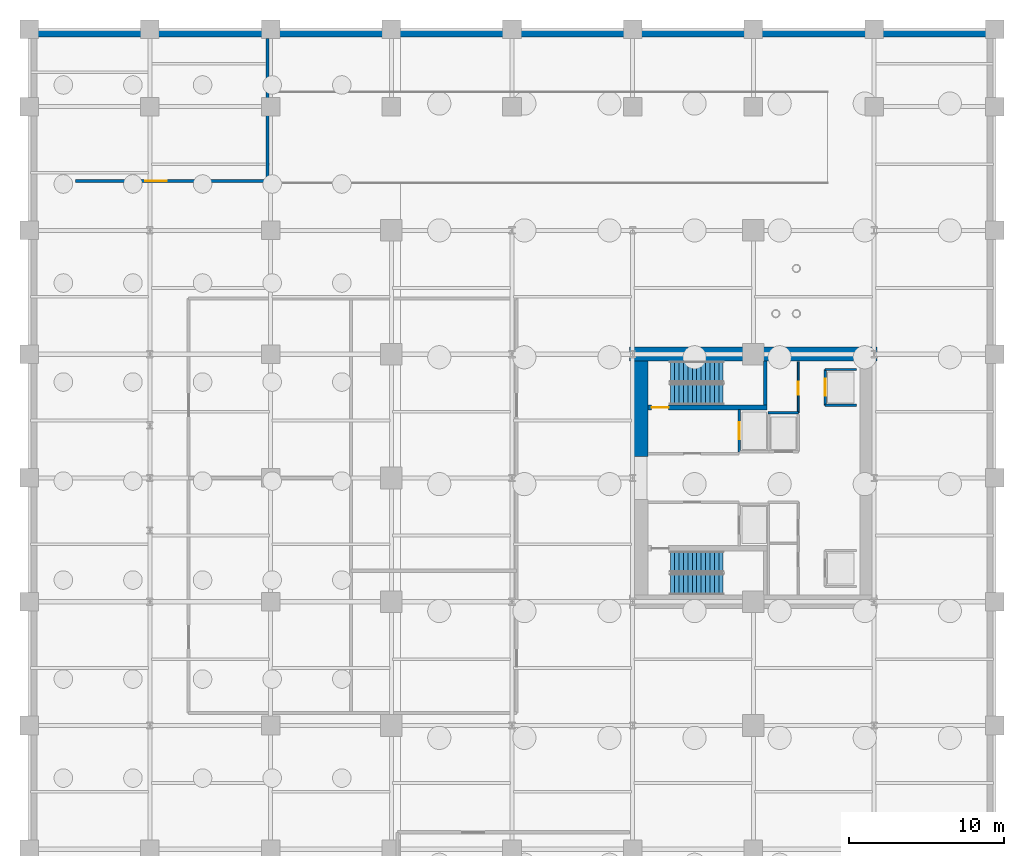
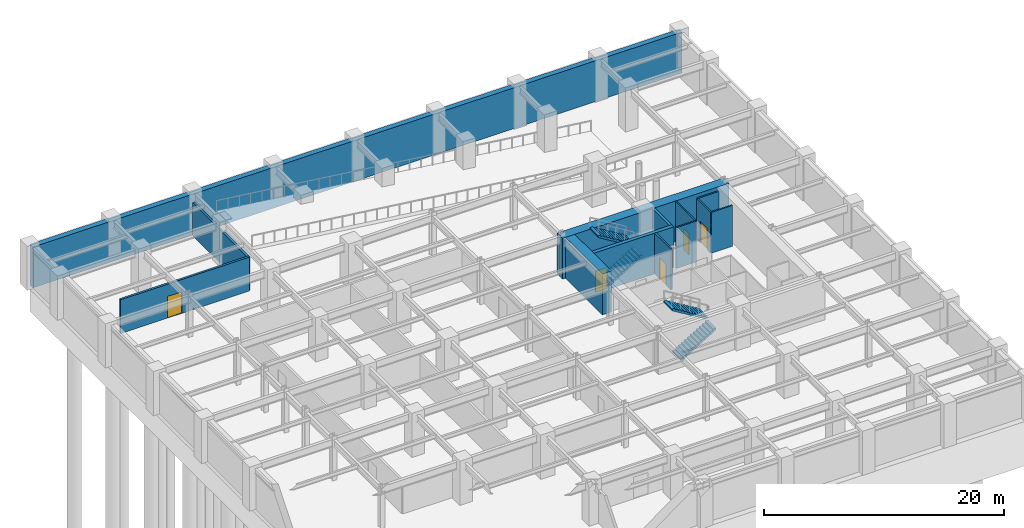
# One storey, part 7 of 10: 13 walls, 5 doors, 4 stair flights, 5 openings, 2 elements without a shape of their own.
"""IFC4 building model written with IfcOpenShell, lengths in metres."""

from ifc_helpers import new_model, si_unit, direction, frame, frame_2d, origin, place, context, subcontext, project, spatial, polyline, rectangle, outline, extrude, material, layer, layer_set, type_object, element, fill, aggregate, save


model = new_model("IFC4")

# Units and contexts
model_context = context("Model", 3, precision=1e-05, world=origin(), true_north=direction((0.0, 1.0)))
body_context = subcontext(model_context, "Body", "Model", "MODEL_VIEW")
ifc_project = project(units=[si_unit("LENGTHUNIT", "METRE"), si_unit("AREAUNIT", "SQUARE_METRE"), si_unit("VOLUMEUNIT", "CUBIC_METRE"), si_unit("PLANEANGLEUNIT", "RADIAN"), si_unit("MASSUNIT", "GRAM", prefix="KILO")], contexts=[model_context])

# Site, building, storey
site_placement = place(None, origin())
site = spatial("IfcSite", under=ifc_project, at=site_placement, CompositionType="ELEMENT")
building_placement = place(site_placement, origin())
building = spatial("IfcBuilding", under=site, at=building_placement, Name="Veymaron Broadcast Tower", CompositionType="ELEMENT")
storey_placement = place(building_placement, frame((0.0, 0.0, -9.0)))
storey = spatial("IfcBuildingStorey", under=building, at=storey_placement, Name="B2", CompositionType="ELEMENT", Elevation=-9.0)

# Wall, opening, door
ifc_material_1 = material(Name="Concrete C40/50", Category="concrete")
ifc_layer_1 = layer(ifc_material_1, 0.199951171875)
ifc_layer_set_1 = layer_set([ifc_layer_1], Name="Concrete C40/50")
wall_type_1 = type_object("IfcWallType", Name="WALL-BLK-200", PredefinedType="SOLIDWALL", material=ifc_layer_set_1)
wall_1_placement = place(storey_placement, frame((3.0, 43.199951171875, 0.0), z_axis=(0.0, 0.0, 1.0), x_axis=(1.0, 0.0, 0.0)))
wall_1 = element("IfcWall", 1, at=wall_1_placement, inside=storey, type_object=wall_type_1, Name="B2 partition IW-B2-VN-S", PredefinedType="SOLIDWALL", context=body_context, shape_type="SweptSolid", body=[
    extrude(rectangle(XDim=12.39990234375, YDim=0.199951171875, at=frame_2d((6.199951171875, 0.0))), origin(), (0.0, 0.0, 1.0), 3.445068359375),
])
opening_1_placement = place(wall_1_placement, frame((4.5, 0.0, 0.0)))
opening_1 = element("IfcOpeningElement", 2, at=opening_1_placement, cuts=wall_1, Name="Opening ID-PL1", PredefinedType="OPENING", context=body_context, shape_type="SweptSolid", body=[
    extrude(rectangle(XDim=1.39990234375, YDim=2.199951171875, at=frame_2d((0.699951171875, 1.10009765625))), frame((0.0, 0.10986328125, 0.0), z_axis=(0.0, -1.0, 0.0), x_axis=(1.0, 0.0, 0.0)), (0.0, 0.0, 1.0), 0.219970703125),
])
ifc_material_2 = material(Name="Heavy-duty acoustic galvanized steel", Category="steel")
door_type_1 = type_object("IfcDoorType", Name="DOOR-PLANT-1400", OperationType="DOUBLE_DOOR_SINGLE_SWING", PredefinedType="DOOR", material=ifc_material_2)
door_1_placement = place(opening_1_placement, origin())
door_1 = element("IfcDoor", 3, at=door_1_placement, inside=storey, type_object=door_type_1, Name="B2 door DR-B2-VN", OperationType="SINGLE_SWING_LEFT", OverallHeight=2.199951171875, OverallWidth=1.39990234375, PredefinedType="DOOR", context=body_context, shape_type="SweptSolid", body=[
    extrude(rectangle(XDim=1.39990234375, YDim=2.199951171875, at=frame_2d((0.699951171875, 1.10009765625))), frame((0.0, 0.02490234375, 0.0), z_axis=(0.0, -1.0, 0.0), x_axis=(1.0, 0.0, 0.0)), (0.0, 0.0, 1.0), 0.050048828125),
])
fill(opening_1, door_1)

# Wall
wall_2_placement = place(storey_placement, frame((15.39990234375, 43.199951171875, 0.0), z_axis=(0.0, 0.0, 1.0), x_axis=(0.0, 1.0, 0.0)))
element("IfcWall", 4, at=wall_2_placement, inside=storey, type_object=wall_type_1, Name="B2 partition IW-B2-VN-E", PredefinedType="SOLIDWALL", context=body_context, shape_type="SweptSolid", body=[
    extrude(rectangle(XDim=9.199951171875, YDim=0.199951171875, at=frame_2d((4.60009765625, 0.0))), origin(), (0.0, 0.0, 1.0), 3.367919921875),
])

# Wall, opening, door
ifc_material_3 = material(Name="Gypsum fireboard and steel stud framing", Category="steel")
ifc_layer_2 = layer(ifc_material_3, 0.14990234375)
ifc_layer_set_2 = layer_set([ifc_layer_2], Name="Gypsum fireboard and steel stud framing")
wall_type_2 = type_object("IfcWallType", Name="WALL-FIRE-150", PredefinedType="PARTITIONING", material=ifc_layer_set_2)
wall_3_placement = place(storey_placement, frame((45.89501953125, 25.68994140625, 0.0), z_axis=(0.0, 0.0, 1.0), x_axis=(0.0, 1.0, 0.0)))
wall_3 = element("IfcWall", 5, at=wall_3_placement, inside=storey, type_object=wall_type_2, Name="B2 partition IW-B2-SHW-FFL-1", PredefinedType="PARTITIONING", context=body_context, shape_type="SweptSolid", body=[
    extrude(rectangle(XDim=2.719970703125, YDim=0.14990234375, at=frame_2d((1.35986328125, 0.0))), origin(), (0.0, 0.0, 1.0), 4.14990234375),
])
opening_2_placement = place(wall_3_placement, frame((0.81005859375, 0.0, 0.0)))
opening_2 = element("IfcOpeningElement", 6, at=opening_2_placement, cuts=wall_3, Name="Opening LD", PredefinedType="OPENING", context=body_context, shape_type="SweptSolid", body=[
    extrude(rectangle(XDim=1.10009765625, YDim=2.14990234375, at=frame_2d((0.550048828125, 1.074951171875))), frame((0.0, 0.0849609375, 0.0), z_axis=(0.0, -1.0, 0.0), x_axis=(1.0, 0.0, 0.0)), (0.0, 0.0, 1.0), 0.169921875),
])
ifc_material_4 = material(Name="Brushed stainless steel AISI 304", Category="steel")
door_type_2 = type_object("IfcDoorType", Name="DOOR-LIFT-1100", OperationType="DOUBLE_DOOR_SLIDING", PredefinedType="DOOR", material=ifc_material_4)
door_2_placement = place(opening_2_placement, frame((1.10009765625, 0.0, 0.0), z_axis=(0.0, 0.0, 1.0), x_axis=(-1.0, 0.0, 0.0)))
door_2 = element("IfcDoor", 7, at=door_2_placement, inside=storey, type_object=door_type_2, Name="B2 door LD-B2-FFL-1", OperationType="DOUBLE_DOOR_SLIDING", OverallHeight=2.14990234375, OverallWidth=1.10009765625, PredefinedType="DOOR", context=body_context, shape_type="SweptSolid", body=[
    extrude(rectangle(XDim=1.10009765625, YDim=2.14990234375, at=frame_2d((0.550048828125, 1.074951171875))), frame((0.0, 0.02490234375, 0.0), z_axis=(0.0, -1.0, 0.0), x_axis=(1.0, 0.0, 0.0)), (0.0, 0.0, 1.0), 0.050048828125),
])
fill(opening_2, door_2)

wall_4_placement = place(storey_placement, frame((51.445068359375, 28.68994140625, 0.0), z_axis=(0.0, 0.0, 1.0), x_axis=(0.0, 1.0, 0.0)))
wall_4 = element("IfcWall", 8, at=wall_4_placement, inside=storey, type_object=wall_type_2, Name="B2 partition IW-B2-SHW-PL1", PredefinedType="PARTITIONING", context=body_context, shape_type="SweptSolid", body=[
    extrude(rectangle(XDim=2.320068359375, YDim=0.14990234375, at=frame_2d((1.16015625, 0.0))), origin(), (0.0, 0.0, 1.0), 4.14990234375),
])
opening_3_placement = place(wall_4_placement, frame((0.610107421875, 0.0, 0.0)))
opening_3 = element("IfcOpeningElement", 9, at=opening_3_placement, cuts=wall_4, Name="Opening LD", PredefinedType="OPENING", context=body_context, shape_type="SweptSolid", body=[
    extrude(rectangle(XDim=1.10009765625, YDim=2.14990234375, at=frame_2d((0.550048828125, 1.074951171875))), frame((0.0, 0.0849609375, 0.0), z_axis=(0.0, -1.0, 0.0), x_axis=(1.0, 0.0, 0.0)), (0.0, 0.0, 1.0), 0.169921875),
])
door_3_placement = place(opening_3_placement, frame((1.10009765625, 0.0, 0.0), z_axis=(0.0, 0.0, 1.0), x_axis=(-1.0, 0.0, 0.0)))
door_3 = element("IfcDoor", 10, at=door_3_placement, inside=storey, type_object=door_type_2, Name="B2 door LD-B2-PL1", OperationType="DOUBLE_DOOR_SLIDING", OverallHeight=2.14990234375, OverallWidth=1.10009765625, PredefinedType="DOOR", context=body_context, shape_type="SweptSolid", body=[
    extrude(rectangle(XDim=1.10009765625, YDim=2.14990234375, at=frame_2d((0.550048828125, 1.074951171875))), frame((0.0, 0.02490234375, 0.0), z_axis=(0.0, -1.0, 0.0), x_axis=(1.0, 0.0, 0.0)), (0.0, 0.0, 1.0), 0.050048828125),
])
fill(opening_3, door_3)

# Walls
for number, where, z_axis, x_axis, name in (
    (11, (51.445068359375, 28.68994140625, 0.0), (0.0, 0.0, 1.0), (1.0, 0.0, 0.0), "B2 partition IW-B2-SHS-PL1"),
    (12, (51.445068359375, 31.010009765625, 0.0), (0.0, 0.0, 1.0), (1.0, 0.0, 0.0), "B2 partition IW-B2-SHN-PL1"),
):
    element("IfcWall", number, at=place(storey_placement, frame(where, z_axis=z_axis, x_axis=x_axis)), inside=storey, type_object=wall_type_2, Name=name, PredefinedType="PARTITIONING", context=body_context, shape_type="SweptSolid", body=[
        extrude(rectangle(XDim=2.014892578125, YDim=0.14990234375, at=frame_2d((1.00732421875, 0.0))), origin(), (0.0, 0.0, 1.0), 4.14990234375),
    ])
wall_5_placement = place(storey_placement, frame((47.760009765625, 28.219970703125, 0.0), z_axis=(0.0, 0.0, 1.0), x_axis=(1.0, 0.0, 0.0)))
element("IfcWall", 13, at=wall_5_placement, inside=storey, type_object=wall_type_2, Name="B2 partition IW-B2-NM-S", PredefinedType="PARTITIONING", context=body_context, shape_type="SweptSolid", body=[
    extrude(rectangle(XDim=1.9599609375, YDim=0.14990234375, at=frame_2d((0.97998046875, 0.0))), origin(), (0.0, 0.0, 1.0), 4.14990234375),
])

# Wall, opening, door
ifc_material_5 = material(Name="Acoustic gypsum board and galvanized stud", Category="gypsum")
ifc_layer_3 = layer(ifc_material_5, 0.1201171875)
ifc_layer_set_3 = layer_set([ifc_layer_3], Name="Acoustic gypsum board and galvanized stud")
wall_type_3 = type_object("IfcWallType", Name="WALL-PART-120", PredefinedType="PARTITIONING", material=ifc_layer_set_3)
wall_6_placement = place(storey_placement, frame((49.699951171875, 28.219970703125, 0.0), z_axis=(0.0, 0.0, 1.0), x_axis=(0.0, 1.0, 0.0)))
wall_6 = element("IfcWall", 14, at=wall_6_placement, inside=storey, type_object=wall_type_3, Name="B2 partition IW-B2-NM-E", PredefinedType="PARTITIONING", context=body_context, shape_type="SweptSolid", body=[
    extrude(rectangle(XDim=3.300048828125, YDim=0.1201171875, at=frame_2d((1.64990234375, 0.0))), origin(), (0.0, 0.0, 1.0), 4.14990234375),
])
opening_4_placement = place(wall_6_placement, frame((1.14990234375, 0.0, 0.0)))
opening_4 = element("IfcOpeningElement", 15, at=opening_4_placement, cuts=wall_6, Name="Opening ID-WC1", PredefinedType="OPENING", context=body_context, shape_type="SweptSolid", body=[
    extrude(rectangle(XDim=0.85009765625, YDim=2.14990234375, at=frame_2d((0.425048828125, 1.074951171875))), frame((0.0, 0.070068359375, 0.0), z_axis=(0.0, -1.0, 0.0), x_axis=(1.0, 0.0, 0.0)), (0.0, 0.0, 1.0), 0.14013671875),
])
ifc_material_6 = material(Name="Moisture-resistant high-pressure laminate timber", Category="wood")
door_type_3 = type_object("IfcDoorType", Name="DOOR-INT-850", OperationType="NOTDEFINED", PredefinedType="DOOR", material=ifc_material_6)
door_4_placement = place(opening_4_placement, frame((0.85009765625, 0.0, 0.0), z_axis=(0.0, 0.0, 1.0), x_axis=(-1.0, 0.0, 0.0)))
door_4 = element("IfcDoor", 16, at=door_4_placement, inside=storey, type_object=door_type_3, Name="B2 door DR-B2-NMR", OperationType="SINGLE_SWING_LEFT", OverallHeight=2.14990234375, OverallWidth=0.85009765625, PredefinedType="DOOR", context=body_context, shape_type="SweptSolid", body=[
    extrude(rectangle(XDim=0.85009765625, YDim=2.14990234375, at=frame_2d((0.425048828125, 1.074951171875))), frame((0.0, 0.02490234375, 0.0), z_axis=(0.0, -1.0, 0.0), x_axis=(1.0, 0.0, 0.0)), (0.0, 0.0, 1.0), 0.050048828125),
])
fill(opening_4, door_4)

# Walls
ifc_material_7 = material(Name="Concrete C50/60", Category="concrete")
ifc_layer_4 = layer(ifc_material_7, 0.5)
ifc_layer_set_4 = layer_set([ifc_layer_4], Name="Concrete C50/60")
wall_type_4 = type_object("IfcWallType", Name="WALL-RET-500", PredefinedType="USERDEFINED", material=ifc_layer_set_4)
wall_7_placement = place(storey_placement, frame((62.39990234375, 52.75, 0.0), z_axis=(0.0, 0.0, 1.0), x_axis=(-1.0, 0.0, 0.0)))
element("IfcWall", 17, at=wall_7_placement, inside=storey, type_object=wall_type_4, Name="B2 retaining wall N", ObjectType="RETAININGWALL", PredefinedType="USERDEFINED", context=body_context, shape_type="SweptSolid", body=[
    extrude(rectangle(XDim=62.39990234375, YDim=0.5, at=frame_2d((31.199951171875, 0.0))), origin(), (0.0, 0.0, 1.0), 4.14990234375),
])
ifc_layer_5 = layer(ifc_material_7, 0.25)
ifc_layer_set_5 = layer_set([ifc_layer_5], Name="Concrete C50/60")
wall_type_5 = type_object("IfcWallType", Name="WALL-SHEAR-250", PredefinedType="SHEAR", material=ifc_layer_set_5)
wall_8_placement = place(storey_placement, frame((47.56494140625, 28.72998046875, 0.0), z_axis=(0.0, 0.0, 1.0), x_axis=(0.0, 1.0, 0.0)))
element("IfcWall", 18, at=wall_8_placement, inside=storey, type_object=wall_type_5, Name="B2 Core Wall north stair east shear", PredefinedType="SHEAR", context=body_context, shape_type="SweptSolid", body=[
    extrude(rectangle(XDim=2.820068359375, YDim=0.25, at=frame_2d((1.41015625, 0.0))), origin(), (0.0, 0.0, 1.0), 4.14990234375),
])

# Wall, opening, door
ifc_layer_6 = layer(ifc_material_7, 0.35009765625)
ifc_layer_set_6 = layer_set([ifc_layer_6], Name="Concrete C50/60")
wall_type_6 = type_object("IfcWallType", Name="WALL-SHEAR-350", PredefinedType="SHEAR", material=ifc_layer_set_6)
wall_9_placement = place(storey_placement, frame((39.97998046875, 28.554931640625, 0.0), z_axis=(0.0, 0.0, 1.0), x_axis=(1.0, 0.0, 0.0)))
wall_9 = element("IfcWall", 19, at=wall_9_placement, inside=storey, type_object=wall_type_6, Name="B2 Core Wall north stair spine", PredefinedType="SHEAR", context=body_context, shape_type="SweptSolid", body=[
    extrude(rectangle(XDim=7.7099609375, YDim=0.35009765625, at=frame_2d((3.85498046875, 0.0))), origin(), (0.0, 0.0, 1.0), 4.14990234375),
])
opening_5_placement = place(wall_9_placement, frame((0.25, 0.0, 0.0)))
opening_5 = element("IfcOpeningElement", 20, at=opening_5_placement, cuts=wall_9, Name="Opening ID-ST1", PredefinedType="OPENING", context=body_context, shape_type="SweptSolid", body=[
    extrude(rectangle(XDim=1.10009765625, YDim=2.14990234375, at=frame_2d((0.550048828125, 1.074951171875))), frame((0.0, 0.18505859375, 0.0), z_axis=(0.0, -1.0, 0.0), x_axis=(1.0, 0.0, 0.0)), (0.0, 0.0, 1.0), 0.3701171875),
])
ifc_material_8 = material(Name="Fire-rated painted hollow steel ASTM A653", Category="steel")
door_type_4 = type_object("IfcDoorType", Name="DOOR-STAIR-1100", OperationType="NOTDEFINED", PredefinedType="DOOR", material=ifc_material_8)
door_5_placement = place(opening_5_placement, origin())
door_5 = element("IfcDoor", 21, at=door_5_placement, inside=storey, type_object=door_type_4, Name="B2 exit stair ST1 fire door", OperationType="SINGLE_SWING_LEFT", OverallHeight=2.14990234375, OverallWidth=1.10009765625, PredefinedType="DOOR", context=body_context, shape_type="SweptSolid", body=[
    extrude(rectangle(XDim=1.10009765625, YDim=2.14990234375, at=frame_2d((0.550048828125, 1.074951171875))), frame((0.0, 0.02490234375, 0.0), z_axis=(0.0, -1.0, 0.0), x_axis=(1.0, 0.0, 0.0)), (0.0, 0.0, 1.0), 0.050048828125),
])
fill(opening_5, door_5)

# Walls
ifc_material_9 = material(Name="Concrete C70/85", Category="concrete")
ifc_layer_7 = layer(ifc_material_9, 0.89990234375)
ifc_layer_set_7 = layer_set([ifc_layer_7], Name="Concrete C70/85")
wall_type_7 = type_object("IfcWallType", Name="WALL-SHEAR-900", PredefinedType="SHEAR", material=ifc_layer_set_7)
wall_10_placement = place(storey_placement, frame((38.800048828125, 32.0, 0.0), z_axis=(0.0, 0.0, 1.0), x_axis=(1.0, 0.0, 0.0)))
element("IfcWall", 22, at=wall_10_placement, inside=storey, type_object=wall_type_7, Name="B2 Core Wall north shear", PredefinedType="SHEAR", context=body_context, shape_type="SweptSolid", body=[
    extrude(rectangle(XDim=16.0, YDim=0.89990234375, at=frame_2d((8.0, 0.0))), origin(), (0.0, 0.0, 1.0), 4.14990234375),
])
wall_11_placement = place(storey_placement, frame((39.530029296875, 25.39990234375, 0.0), z_axis=(0.0, 0.0, 1.0), x_axis=(0.0, 1.0, 0.0)))
element("IfcWall", 23, at=wall_11_placement, inside=storey, type_object=wall_type_7, Name="B2 Core Wall west-north shear", PredefinedType="SHEAR", context=body_context, shape_type="SweptSolid", body=[
    extrude(rectangle(XDim=6.150146484375, YDim=0.89990234375, at=frame_2d((3.0751953125, 0.0))), origin(), (0.0, 0.0, 1.0), 4.14990234375),
])

# Stair, stair flights
stair_type_1 = type_object("IfcStairType", Name="STAIR-CORE-1", PredefinedType="HALF_TURN_STAIR", material=ifc_material_7)
stair_1_placement = place(storey_placement, origin())
stair_1 = element("IfcStair", 24, at=stair_1_placement, inside=storey, type_object=stair_type_1, Name="B2 North protected dog-leg exit stair ST1", PredefinedType="HALF_TURN_STAIR")
ifc_material_10 = material(Name="Precast concrete C50/60", Category="concrete")
stair_flight_type = type_object("IfcStairFlightType", Name="FLT-CORE-RC", PredefinedType="STRAIGHT", material=ifc_material_10)
stair_flight_1_placement = place(storey_placement, frame((41.429931640625, 29.419921875, 0.0), z_axis=(0.0, 0.0, 1.0), x_axis=(1.0, 0.0, 0.0)))
stair_flight_1 = element("IfcStairFlight", 25, at=stair_flight_1_placement, type_object=stair_flight_type, Name="ST1 flight 1", NumberOfRisers=13, NumberOfTreads=12, PredefinedType="STRAIGHT", RiserHeight=0.173076923, TreadLength=0.285, context=body_context, shape_type="SweptSolid", body=[
    extrude(outline(polyline([(0.0, 0.0), (0.0, 0.173095703125), (0.284912109375, 0.173095703125), (0.284912109375, 0.34619140625), (0.570068359375, 0.34619140625), (0.570068359375, 0.519287109375), (0.85498046875, 0.519287109375), (0.85498046875, 0.6923828125), (1.139892578125, 0.6923828125), (1.139892578125, 0.865478515625), (1.425048828125, 0.865478515625), (1.425048828125, 1.03857421875), (1.7099609375, 1.03857421875), (1.7099609375, 1.21142578125), (1.9951171875, 1.21142578125), (1.9951171875, 1.384521484375), (2.280029296875, 1.384521484375), (2.280029296875, 1.5576171875), (2.56494140625, 1.5576171875), (2.56494140625, 1.730712890625), (2.85009765625, 1.730712890625), (2.85009765625, 1.90380859375), (3.135009765625, 1.90380859375), (3.135009765625, 2.076904296875), (3.419921875, 2.076904296875), (3.419921875, 2.25), (3.419921875, 1.901611328125), (0.288818359375, 0.0), (0.0, 0.0)])), frame((0.0, 0.68994140625, 0.0), z_axis=(0.0, -1.0, 0.0), x_axis=(1.0, 0.0, 0.0)), (0.0, 0.0, 1.0), 1.3798828125),
])
stair_flight_2_placement = place(storey_placement, frame((44.85009765625, 30.860107421875, 2.25), z_axis=(0.0, 0.0, 1.0), x_axis=(-1.0, 0.0, 0.0)))
stair_flight_2 = element("IfcStairFlight", 26, at=stair_flight_2_placement, type_object=stair_flight_type, Name="ST1 flight 2", NumberOfRisers=13, NumberOfTreads=12, PredefinedType="STRAIGHT", RiserHeight=0.173076923, TreadLength=0.285, context=body_context, shape_type="SweptSolid", body=[
    extrude(outline(polyline([(0.0, 0.0), (0.0, 0.173095703125), (0.284912109375, 0.173095703125), (0.284912109375, 0.34619140625), (0.570068359375, 0.34619140625), (0.570068359375, 0.519287109375), (0.85498046875, 0.519287109375), (0.85498046875, 0.6923828125), (1.139892578125, 0.6923828125), (1.139892578125, 0.865478515625), (1.425048828125, 0.865478515625), (1.425048828125, 1.03857421875), (1.7099609375, 1.03857421875), (1.7099609375, 1.21142578125), (1.9951171875, 1.21142578125), (1.9951171875, 1.384521484375), (2.280029296875, 1.384521484375), (2.280029296875, 1.5576171875), (2.56494140625, 1.5576171875), (2.56494140625, 1.730712890625), (2.85009765625, 1.730712890625), (2.85009765625, 1.90380859375), (3.135009765625, 1.90380859375), (3.135009765625, 2.076904296875), (3.419921875, 2.076904296875), (3.419921875, 2.25), (3.419921875, 1.901611328125), (0.288818359375, 0.0), (0.0, 0.0)])), frame((0.0, 0.68994140625, 0.0), z_axis=(0.0, -1.0, 0.0), x_axis=(1.0, 0.0, 0.0)), (0.0, 0.0, 1.0), 1.3798828125),
])
aggregate(stair_1, [stair_flight_1, stair_flight_2])

stair_type_2 = type_object("IfcStairType", Name="STAIR-CORE-2", PredefinedType="HALF_TURN_STAIR", material=ifc_material_7)
stair_2_placement = place(storey_placement, origin())
stair_2 = element("IfcStair", 27, at=stair_2_placement, inside=storey, type_object=stair_type_2, Name="B2 South protected dog-leg exit stair ST2", PredefinedType="HALF_TURN_STAIR")
stair_flight_3_placement = place(storey_placement, frame((41.429931640625, 17.139892578125, 0.0), z_axis=(0.0, 0.0, 1.0), x_axis=(1.0, 0.0, 0.0)))
stair_flight_3 = element("IfcStairFlight", 28, at=stair_flight_3_placement, type_object=stair_flight_type, Name="ST2 flight 1", NumberOfRisers=13, NumberOfTreads=12, PredefinedType="STRAIGHT", RiserHeight=0.173076923, TreadLength=0.285, context=body_context, shape_type="SweptSolid", body=[
    extrude(outline(polyline([(0.0, 0.0), (0.0, 0.173095703125), (0.284912109375, 0.173095703125), (0.284912109375, 0.34619140625), (0.570068359375, 0.34619140625), (0.570068359375, 0.519287109375), (0.85498046875, 0.519287109375), (0.85498046875, 0.6923828125), (1.139892578125, 0.6923828125), (1.139892578125, 0.865478515625), (1.425048828125, 0.865478515625), (1.425048828125, 1.03857421875), (1.7099609375, 1.03857421875), (1.7099609375, 1.21142578125), (1.9951171875, 1.21142578125), (1.9951171875, 1.384521484375), (2.280029296875, 1.384521484375), (2.280029296875, 1.5576171875), (2.56494140625, 1.5576171875), (2.56494140625, 1.730712890625), (2.85009765625, 1.730712890625), (2.85009765625, 1.90380859375), (3.135009765625, 1.90380859375), (3.135009765625, 2.076904296875), (3.419921875, 2.076904296875), (3.419921875, 2.25), (3.419921875, 1.901611328125), (0.288818359375, 0.0), (0.0, 0.0)])), frame((0.0, 0.68994140625, 0.0), z_axis=(0.0, -1.0, 0.0), x_axis=(1.0, 0.0, 0.0)), (0.0, 0.0, 1.0), 1.3798828125),
])
stair_flight_4_placement = place(storey_placement, frame((44.85009765625, 18.580078125, 2.25), z_axis=(0.0, 0.0, 1.0), x_axis=(-1.0, 0.0, 0.0)))
stair_flight_4 = element("IfcStairFlight", 29, at=stair_flight_4_placement, type_object=stair_flight_type, Name="ST2 flight 2", NumberOfRisers=13, NumberOfTreads=12, PredefinedType="STRAIGHT", RiserHeight=0.173076923, TreadLength=0.285, context=body_context, shape_type="SweptSolid", body=[
    extrude(outline(polyline([(0.0, 0.0), (0.0, 0.173095703125), (0.284912109375, 0.173095703125), (0.284912109375, 0.34619140625), (0.570068359375, 0.34619140625), (0.570068359375, 0.519287109375), (0.85498046875, 0.519287109375), (0.85498046875, 0.6923828125), (1.139892578125, 0.6923828125), (1.139892578125, 0.865478515625), (1.425048828125, 0.865478515625), (1.425048828125, 1.03857421875), (1.7099609375, 1.03857421875), (1.7099609375, 1.21142578125), (1.9951171875, 1.21142578125), (1.9951171875, 1.384521484375), (2.280029296875, 1.384521484375), (2.280029296875, 1.5576171875), (2.56494140625, 1.5576171875), (2.56494140625, 1.730712890625), (2.85009765625, 1.730712890625), (2.85009765625, 1.90380859375), (3.135009765625, 1.90380859375), (3.135009765625, 2.076904296875), (3.419921875, 2.076904296875), (3.419921875, 2.25), (3.419921875, 1.901611328125), (0.288818359375, 0.0), (0.0, 0.0)])), frame((0.0, 0.68994140625, 0.0), z_axis=(0.0, -1.0, 0.0), x_axis=(1.0, 0.0, 0.0)), (0.0, 0.0, 1.0), 1.3798828125),
])
aggregate(stair_2, [stair_flight_3, stair_flight_4])

save(model, "model.ifc")
